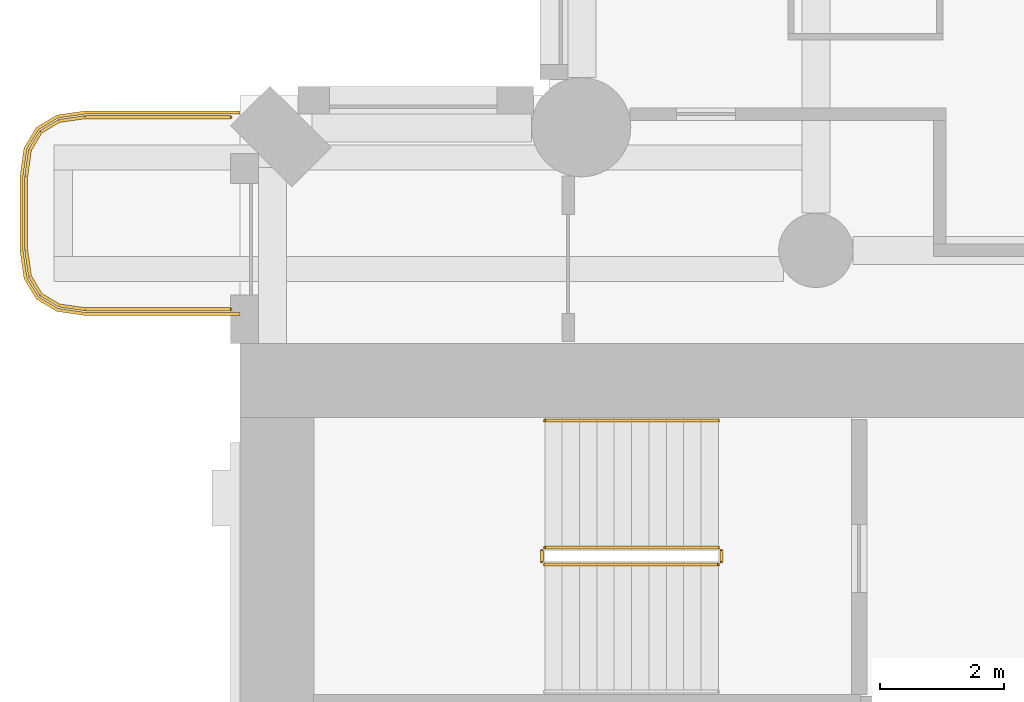
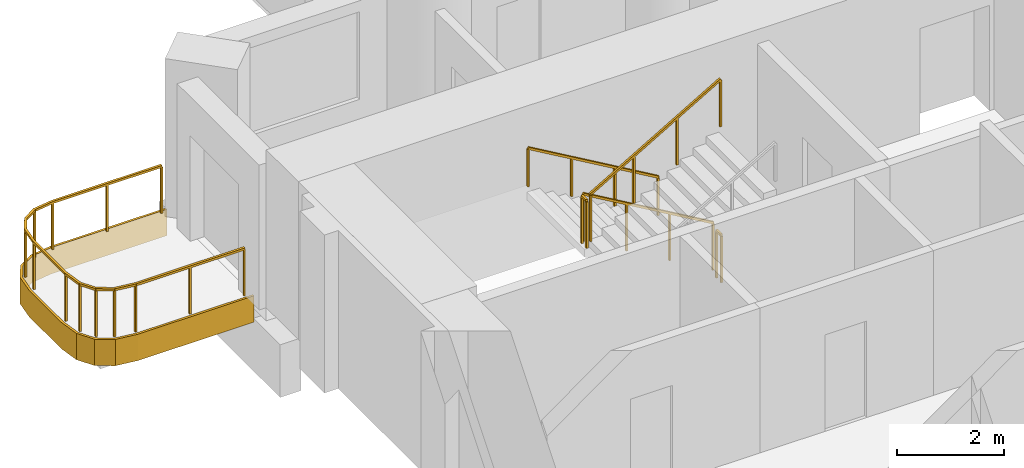
# One storey, part 17 of 20: 6 railings, 1 covering.
"""IFC4 building model written with IfcOpenShell, lengths in metres."""

from ifc_helpers import new_model, si_unit, direction, frame, origin, origin_2d, place, context, subcontext, project, spatial, polyline, rectangle, outline, extrude, material, layer, layer_set, type_object, element, save


model = new_model("IFC4")

# Units and contexts
model_context = context("Model", 3, precision=1e-05, world=origin(), true_north=direction((0.0, 1.0)))
body_context = subcontext(model_context, "Body", "Model", "MODEL_VIEW")
ifc_project = project(units=[si_unit("LENGTHUNIT", "METRE"), si_unit("AREAUNIT", "SQUARE_METRE"), si_unit("VOLUMEUNIT", "CUBIC_METRE"), si_unit("PLANEANGLEUNIT", "RADIAN"), si_unit("MASSUNIT", "GRAM", prefix="KILO")], contexts=[model_context])

# Site, building, storey
site_placement = place(None, origin())
site = spatial("IfcSite", under=ifc_project, at=site_placement, CompositionType="ELEMENT")
building_placement = place(site_placement, origin())
building = spatial("IfcBuilding", under=site, at=building_placement, Name="Cypress Arch Tower", CompositionType="ELEMENT")
storey_placement = place(building_placement, frame((0.0, 0.0, 91.5)))
storey = spatial("IfcBuildingStorey", under=building, at=storey_placement, Name="L17", CompositionType="ELEMENT", Elevation=91.5)

# Covering
ifc_material_1 = material(Name="White powder-coated aluminium fascia", Category="aluminium")
ifc_layer = layer(ifc_material_1, 0.050048828125)
ifc_layer_set = layer_set([ifc_layer], Name="Balcony fascia BF50")
covering_type = type_object("IfcCoveringType", Name="Balcony fascia BF50", PredefinedType="CLADDING", material=ifc_layer_set)
covering_placement = place(storey_placement, frame((0.0, 0.0, -0.60009765625)))
element("IfcCovering", 1, at=covering_placement, inside=storey, type_object=covering_type, Name="Balcony fascia L17-A00W0", PredefinedType="CLADDING", context=body_context, shape_type="SweptSolid", body=[
    extrude(outline(polyline([(-32.503662109375, 16.449951171875), (-32.95458984375, 16.514404296875), (-33.286376953125, 16.713623046875), (-33.485595703125, 17.04541015625), (-33.550048828125, 17.496337890625), (-33.550048828125, 18.70361328125), (-33.485595703125, 19.154541015625), (-33.286376953125, 19.486328125), (-32.95458984375, 19.685546875), (-32.503662109375, 19.75), (-30.0009765625, 19.75), (-30.0009765625, 19.699951171875), (-32.5, 19.699951171875), (-32.9375, 19.637451171875), (-33.25, 19.449951171875), (-33.4375, 19.137451171875), (-33.5, 18.699951171875), (-33.5, 17.5), (-33.4375, 17.0625), (-33.25, 16.75), (-32.9375, 16.5625), (-32.5, 16.5), (-30.0009765625, 16.5), (-30.0009765625, 16.449951171875), (-32.503662109375, 16.449951171875)])), origin(), (0.0, 0.0, 1.0), 0.60009765625),
])

# Railings
ifc_material_2 = material(Name="Powder-coated steel posts and rods, 100 mm clear between rods", Category="steel")
railing_type_1 = type_object("IfcRailingType", Name="Balcony guard GR1100", PredefinedType="GUARDRAIL", material=ifc_material_2)
railing_1_placement = place(storey_placement, frame((-30.14990234375, 16.550048828125, 0.0)))
element("IfcRailing", 2, at=railing_1_placement, inside=storey, type_object=railing_type_1, Name="Balcony guard L17-A00W0", PredefinedType="GUARDRAIL", context=body_context, shape_type="SweptSolid", body=[
    extrude(rectangle(XDim=0.050048828125, YDim=0.050048828125, at=origin_2d()), frame((0.0, 0.0, 1.0751953125), z_axis=(-1.0, 0.0, 0.0), x_axis=(0.0, -1.0, 0.0)), (0.0, 0.0, 1.0), 2.346435546875),
    extrude(rectangle(XDim=0.050048828125, YDim=0.050048828125, at=origin_2d()), frame((-2.346435546875, 0.0, 1.0751953125), z_axis=(-0.989960888959, 0.141341566184, 0.0), x_axis=(-0.141341566184, -0.989960888959, 0.0)), (0.0, 0.0, 1.0), 0.428466796875),
    extrude(rectangle(XDim=0.050048828125, YDim=0.050048828125, at=origin_2d()), frame((-2.7705078125, 0.060546875, 1.0751953125), z_axis=(-0.857681904839, 0.514180659021, 0.0), x_axis=(-0.514180659021, -0.857681904839, 0.0)), (0.0, 0.0, 1.0), 0.341796875),
    extrude(rectangle(XDim=0.050048828125, YDim=0.050048828125, at=origin_2d()), frame((-3.063720703125, 0.236328125, 1.0751953125), z_axis=(-0.514180659021, 0.857681904839, 0.0), x_axis=(-0.857681904839, -0.514180659021, 0.0)), (0.0, 0.0, 1.0), 0.341796875),
    extrude(rectangle(XDim=0.050048828125, YDim=0.050048828125, at=origin_2d()), frame((-3.239501953125, 0.529541015625, 1.0751953125), z_axis=(-0.141341566184, 0.989960888959, 0.0), x_axis=(-0.989960888959, -0.141341566184, 0.0)), (0.0, 0.0, 1.0), 0.428466796875),
    extrude(rectangle(XDim=0.050048828125, YDim=0.050048828125, at=origin_2d()), frame((-3.300048828125, 0.95361328125, 1.0751953125), z_axis=(0.0, 1.0, 0.0), x_axis=(-1.0, 0.0, 0.0)), (0.0, 0.0, 1.0), 1.19287109375),
    extrude(rectangle(XDim=0.050048828125, YDim=0.050048828125, at=origin_2d()), frame((-3.300048828125, 2.146484375, 1.0751953125), z_axis=(0.141421356237, 0.989949493661, 0.0), x_axis=(-0.989949493661, 0.141421356237, 0.0)), (0.0, 0.0, 1.0), 0.42822265625),
    extrude(rectangle(XDim=0.050048828125, YDim=0.050048828125, at=origin_2d()), frame((-3.239501953125, 2.5703125, 1.0751953125), z_axis=(0.514180659021, 0.857681904839, 0.0), x_axis=(-0.857681904839, 0.514180659021, 0.0)), (0.0, 0.0, 1.0), 0.341796875),
    extrude(rectangle(XDim=0.050048828125, YDim=0.050048828125, at=origin_2d()), frame((-3.063720703125, 2.863525390625, 1.0751953125), z_axis=(0.857681904839, 0.514180659021, 0.0), x_axis=(-0.514180659021, 0.857681904839, 0.0)), (0.0, 0.0, 1.0), 0.341796875),
    extrude(rectangle(XDim=0.050048828125, YDim=0.050048828125, at=origin_2d()), frame((-2.7705078125, 3.039306640625, 1.0751953125), z_axis=(0.989960888959, 0.141341566184, 0.0), x_axis=(-0.141341566184, 0.989960888959, 0.0)), (0.0, 0.0, 1.0), 0.428466796875),
    extrude(rectangle(XDim=0.050048828125, YDim=0.050048828125, at=origin_2d()), frame((-2.346435546875, 3.099853515625, 1.0751953125), z_axis=(1.0, 0.0, 0.0), x_axis=(0.0, 1.0, 0.0)), (0.0, 0.0, 1.0), 2.346435546875),
    extrude(rectangle(XDim=0.0400390625, YDim=0.0400390625, at=origin_2d()), origin(), (0.0, 0.0, 1.0), 1.050048828125),
    extrude(rectangle(XDim=0.0400390625, YDim=0.0400390625, at=origin_2d()), frame((-1.17333984375, 0.0, 0.0)), (0.0, 0.0, 1.0), 1.050048828125),
    extrude(rectangle(XDim=0.0400390625, YDim=0.0400390625, at=origin_2d()), frame((-2.346435546875, 0.0, 0.0)), (0.0, 0.0, 1.0), 1.050048828125),
    extrude(rectangle(XDim=0.0400390625, YDim=0.0400390625, at=origin_2d()), frame((-2.7705078125, 0.060546875, 0.0)), (0.0, 0.0, 1.0), 1.050048828125),
    extrude(rectangle(XDim=0.0400390625, YDim=0.0400390625, at=origin_2d()), frame((-3.063720703125, 0.236328125, 0.0)), (0.0, 0.0, 1.0), 1.050048828125),
    extrude(rectangle(XDim=0.0400390625, YDim=0.0400390625, at=origin_2d()), frame((-3.239501953125, 0.529541015625, 0.0)), (0.0, 0.0, 1.0), 1.050048828125),
    extrude(rectangle(XDim=0.0400390625, YDim=0.0400390625, at=origin_2d()), frame((-3.300048828125, 0.95361328125, 0.0)), (0.0, 0.0, 1.0), 1.050048828125),
    extrude(rectangle(XDim=0.0400390625, YDim=0.0400390625, at=origin_2d()), frame((-3.300048828125, 2.146484375, 0.0)), (0.0, 0.0, 1.0), 1.050048828125),
    extrude(rectangle(XDim=0.0400390625, YDim=0.0400390625, at=origin_2d()), frame((-3.239501953125, 2.5703125, 0.0)), (0.0, 0.0, 1.0), 1.050048828125),
    extrude(rectangle(XDim=0.0400390625, YDim=0.0400390625, at=origin_2d()), frame((-3.063720703125, 2.863525390625, 0.0)), (0.0, 0.0, 1.0), 1.050048828125),
    extrude(rectangle(XDim=0.0400390625, YDim=0.0400390625, at=origin_2d()), frame((-2.7705078125, 3.039306640625, 0.0)), (0.0, 0.0, 1.0), 1.050048828125),
    extrude(rectangle(XDim=0.0400390625, YDim=0.0400390625, at=origin_2d()), frame((-2.346435546875, 3.099853515625, 0.0)), (0.0, 0.0, 1.0), 1.050048828125),
    extrude(rectangle(XDim=0.0400390625, YDim=0.0400390625, at=origin_2d()), frame((-1.17333984375, 3.099853515625, 0.0)), (0.0, 0.0, 1.0), 1.050048828125),
    extrude(rectangle(XDim=0.0400390625, YDim=0.0400390625, at=origin_2d()), frame((0.0, 3.099853515625, 0.0)), (0.0, 0.0, 1.0), 1.050048828125),
])
ifc_material_3 = material(Name="Black powder-coated steel square bar 48 mm", Category="steel")
railing_type_2 = type_object("IfcRailingType", Name="Stair handrail HR1", PredefinedType="HANDRAIL", material=ifc_material_3)
railing_2_placement = place(storey_placement, frame((-22.27490234375, 14.75, 0.16357421875)))
element("IfcRailing", 3, at=railing_2_placement, inside=storey, type_object=railing_type_2, Name="L17 B stair handrail 1", PredefinedType="HANDRAIL", context=body_context, shape_type="SweptSolid", body=[
    extrude(rectangle(XDim=0.048095703125, YDim=0.048095703125, at=origin_2d()), frame((0.0, 0.0, 0.8759765625), z_axis=(-0.863360870873, 0.0, 0.504586966384), x_axis=(0.0, -1.0, 0.0)), (0.0, 0.0, 1.0), 3.2431640625),
    extrude(rectangle(XDim=0.0419921875, YDim=0.0419921875, at=origin_2d()), origin(), (0.0, 0.0, 1.0), 0.851806640625),
    extrude(rectangle(XDim=0.0419921875, YDim=0.0419921875, at=origin_2d()), frame((-0.933349609375, 0.0, 0.54541015625)), (0.0, 0.0, 1.0), 0.851806640625),
    extrude(rectangle(XDim=0.0419921875, YDim=0.0419921875, at=origin_2d()), frame((-1.86669921875, 0.0, 1.091064453125)), (0.0, 0.0, 1.0), 0.851806640625),
    extrude(rectangle(XDim=0.0419921875, YDim=0.0419921875, at=origin_2d()), frame((-2.800048828125, 0.0, 1.636474609375)), (0.0, 0.0, 1.0), 0.851806640625),
])
ifc_material_4 = material(Name="Black powder-coated steel balusters", Category="steel")
railing_type_3 = type_object("IfcRailingType", Name="Stair well guard G1", PredefinedType="GUARDRAIL", material=ifc_material_4)
railing_3_placement = place(storey_placement, frame((-22.27490234375, 12.699951171875, 0.16357421875)))
element("IfcRailing", 4, at=railing_3_placement, inside=storey, type_object=railing_type_3, Name="L17 B stair guard 1", PredefinedType="GUARDRAIL", context=body_context, shape_type="SweptSolid", body=[
    extrude(rectangle(XDim=0.048095703125, YDim=0.048095703125, at=origin_2d()), frame((0.0, 0.0, 1.076171875), z_axis=(-0.863360870873, 0.0, 0.504586966384), x_axis=(0.0, -1.0, 0.0)), (0.0, 0.0, 1.0), 3.2431640625),
    extrude(rectangle(XDim=0.0419921875, YDim=0.0419921875, at=origin_2d()), origin(), (0.0, 0.0, 1.0), 1.052001953125),
    extrude(rectangle(XDim=0.0419921875, YDim=0.0419921875, at=origin_2d()), frame((-0.933349609375, 0.0, 0.54541015625)), (0.0, 0.0, 1.0), 1.052001953125),
    extrude(rectangle(XDim=0.0419921875, YDim=0.0419921875, at=origin_2d()), frame((-1.86669921875, 0.0, 1.091064453125)), (0.0, 0.0, 1.0), 1.052001953125),
    extrude(rectangle(XDim=0.0419921875, YDim=0.0419921875, at=origin_2d()), frame((-2.800048828125, 0.0, 1.636474609375)), (0.0, 0.0, 1.0), 1.052001953125),
])
railing_4_placement = place(storey_placement, frame((-25.125, 12.64990234375, 1.800048828125)))
element("IfcRailing", 5, at=railing_4_placement, inside=storey, type_object=railing_type_3, Name="L17 B stair guard 2", PredefinedType="GUARDRAIL", context=body_context, shape_type="SweptSolid", body=[
    extrude(rectangle(XDim=0.048095703125, YDim=0.048095703125, at=origin_2d()), frame((0.0, 0.0, 1.076171875), z_axis=(0.0, -1.0, 0.0), x_axis=(1.0, 0.0, 0.0)), (0.0, 0.0, 1.0), 0.1748046875),
    extrude(rectangle(XDim=0.0419921875, YDim=0.0419921875, at=origin_2d()), origin(), (0.0, 0.0, 1.0), 1.052001953125),
    extrude(rectangle(XDim=0.0419921875, YDim=0.0419921875, at=origin_2d()), frame((0.0, -0.1748046875, 0.0)), (0.0, 0.0, 1.0), 1.052001953125),
])
railing_5_placement = place(storey_placement, frame((-25.074951171875, 12.425048828125, 1.963623046875)))
element("IfcRailing", 6, at=railing_5_placement, inside=storey, type_object=railing_type_3, Name="L17 B stair guard 3", PredefinedType="GUARDRAIL", context=body_context, shape_type="SweptSolid", body=[
    extrude(rectangle(XDim=0.048095703125, YDim=0.048095703125, at=origin_2d()), frame((0.0, 0.0, 1.076171875), z_axis=(0.863360870873, 0.0, 0.504586966384), x_axis=(0.0, 1.0, 0.0)), (0.0, 0.0, 1.0), 3.2431640625),
    extrude(rectangle(XDim=0.0419921875, YDim=0.0419921875, at=origin_2d()), origin(), (0.0, 0.0, 1.0), 1.052001953125),
    extrude(rectangle(XDim=0.0419921875, YDim=0.0419921875, at=origin_2d()), frame((0.933349609375, 0.0, 0.54541015625)), (0.0, 0.0, 1.0), 1.052001953125),
    extrude(rectangle(XDim=0.0419921875, YDim=0.0419921875, at=origin_2d()), frame((1.86669921875, 0.0, 1.091064453125)), (0.0, 0.0, 1.0), 1.052001953125),
    extrude(rectangle(XDim=0.0419921875, YDim=0.0419921875, at=origin_2d()), frame((2.800048828125, 0.0, 1.636474609375)), (0.0, 0.0, 1.0), 1.052001953125),
])
railing_6_placement = place(storey_placement, frame((-22.22509765625, 12.64990234375, 0.0)))
element("IfcRailing", 7, at=railing_6_placement, inside=storey, type_object=railing_type_3, Name="L17 B stair guard 4", PredefinedType="GUARDRAIL", context=body_context, shape_type="SweptSolid", body=[
    extrude(rectangle(XDim=0.048095703125, YDim=0.048095703125, at=origin_2d()), frame((0.0, 0.0, 1.076171875), z_axis=(0.0, -1.0, 0.0), x_axis=(1.0, 0.0, 0.0)), (0.0, 0.0, 1.0), 0.1748046875),
    extrude(rectangle(XDim=0.0419921875, YDim=0.0419921875, at=origin_2d()), origin(), (0.0, 0.0, 1.0), 1.052001953125),
    extrude(rectangle(XDim=0.0419921875, YDim=0.0419921875, at=origin_2d()), frame((0.0, -0.1748046875, 0.0)), (0.0, 0.0, 1.0), 1.052001953125),
])

save(model, "model.ifc")
